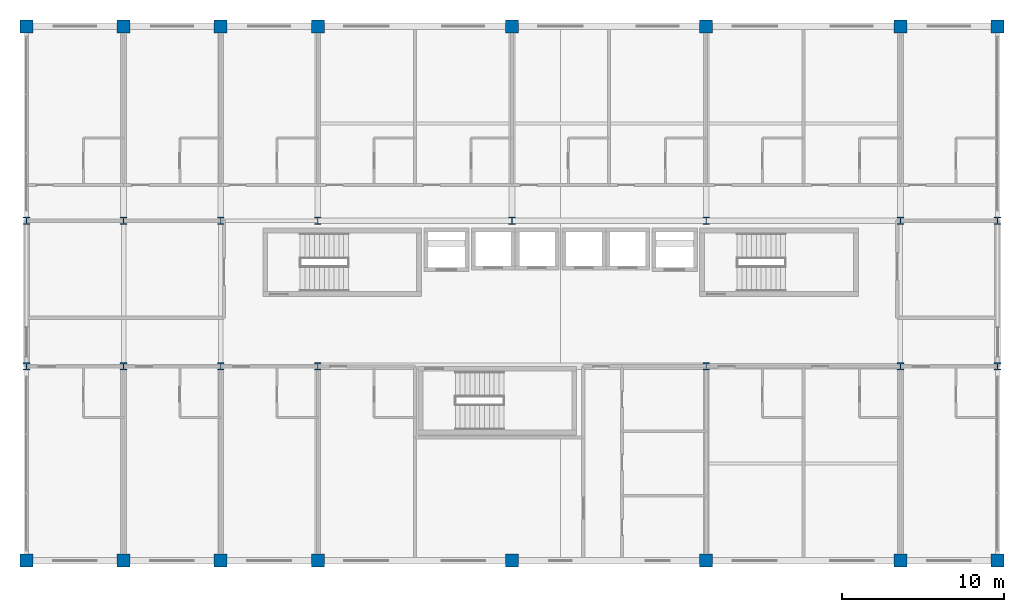
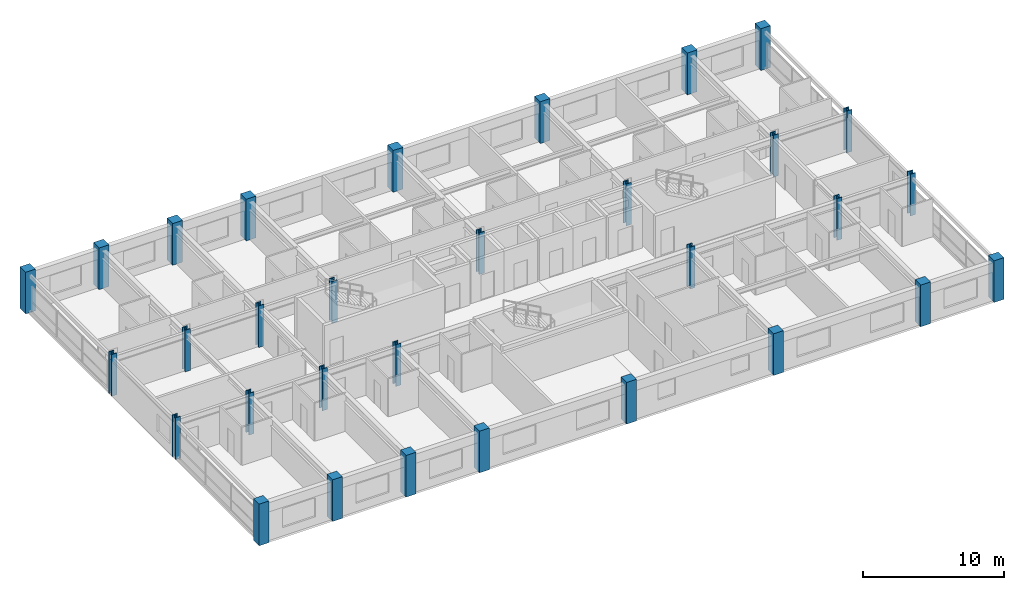
# One storey, part 1 of 26: 31 columns.
"""IFC4 building model written with IfcOpenShell, lengths in metres."""

from ifc_helpers import new_model, si_unit, direction, frame, origin, origin_2d, place, context, subcontext, project, spatial, rectangle, i_section, extrude, material, material_profile, profile_set, type_object, element, save


model = new_model("IFC4")

# Units and contexts
model_context = context("Model", 3, precision=1e-05, world=origin(), true_north=direction((0.0, 1.0)))
body_context = subcontext(model_context, "Body", "Model", "MODEL_VIEW")
ifc_project = project(units=[si_unit("LENGTHUNIT", "METRE"), si_unit("AREAUNIT", "SQUARE_METRE"), si_unit("VOLUMEUNIT", "CUBIC_METRE"), si_unit("PLANEANGLEUNIT", "RADIAN"), si_unit("MASSUNIT", "GRAM", prefix="KILO")], contexts=[model_context])

# Site, building, storey
site_placement = place(None, origin())
site = spatial("IfcSite", under=ifc_project, at=site_placement, CompositionType="ELEMENT")
building_placement = place(site_placement, origin())
building = spatial("IfcBuilding", under=site, at=building_placement, Name="Kaldorvane Square Convention Centre", CompositionType="ELEMENT")
storey_placement = place(building_placement, frame((0.0, 0.0, 45.600006103515625)))
storey = spatial("IfcBuildingStorey", under=building, at=storey_placement, Name="L10", CompositionType="ELEMENT", Elevation=45.600006103515625)

# Columns
ifc_material_1 = material(Name="Concrete f'c = 42 MPa (Normalweight)", Category="concrete")
ifc_material_profile_1 = material_profile(ifc_material_1, rectangle(XDim=0.8000030517578125, YDim=0.8000030517578125, at=origin_2d()), Name="RC800X800")
ifc_profile_set_1 = profile_set([ifc_material_profile_1], Name="Concrete f'c = 42 MPa (Normalweight)")
column_type_1 = type_object("IfcColumnType", Name="COL-RC-800", PredefinedType="COLUMN", material=ifc_profile_set_1)
for number, where, z_axis, x_axis, name in (
    (1, (24.0, 84.0, 0.0), (0.0, 0.0, 1.0), (1.0, 0.0, 0.0), "Column CC-04 (L10)"),
    (2, (24.0, 117.0, 0.0), (0.0, 0.0, 1.0), (1.0, 0.0, 0.0), "Column CC-04 (L10)"),
    (3, (30.0, 84.0, 0.0), (0.0, 0.0, 1.0), (1.0, 0.0, 0.0), "Column CC-04 (L10)"),
    (4, (30.0, 117.0, 0.0), (0.0, 0.0, 1.0), (1.0, 0.0, 0.0), "Column CC-04 (L10)"),
    (5, (36.0, 84.0, 0.0), (0.0, 0.0, 1.0), (1.0, 0.0, 0.0), "Column CC-04 (L10)"),
    (6, (36.0, 117.0, 0.0), (0.0, 0.0, 1.0), (1.0, 0.0, 0.0), "Column CC-04 (L10)"),
    (7, (42.0, 84.0, 0.0), (0.0, 0.0, 1.0), (1.0, 0.0, 0.0), "Column CC-04 (L10)"),
    (8, (42.0, 117.0, 0.0), (0.0, 0.0, 1.0), (1.0, 0.0, 0.0), "Column CC-04 (L10)"),
    (9, (54.0, 84.0, 0.0), (0.0, 0.0, 1.0), (1.0, 0.0, 0.0), "Column CC-04 (L10)"),
    (10, (54.0, 117.0, 0.0), (0.0, 0.0, 1.0), (1.0, 0.0, 0.0), "Column CC-04 (L10)"),
    (11, (66.0, 84.0, 0.0), (0.0, 0.0, 1.0), (1.0, 0.0, 0.0), "Column CC-04 (L10)"),
    (12, (66.0, 117.0, 0.0), (0.0, 0.0, 1.0), (1.0, 0.0, 0.0), "Column CC-04 (L10)"),
    (13, (78.0, 84.0, 0.0), (0.0, 0.0, 1.0), (1.0, 0.0, 0.0), "Column CC-04 (L10)"),
    (14, (78.0, 117.0, 0.0), (0.0, 0.0, 1.0), (1.0, 0.0, 0.0), "Column CC-04 (L10)"),
    (15, (84.0, 84.0, 0.0), (0.0, 0.0, 1.0), (1.0, 0.0, 0.0), "Column CC-04 (L10)"),
    (16, (84.0, 117.0, 0.0), (0.0, 0.0, 1.0), (1.0, 0.0, 0.0), "Column CC-04 (L10)"),
):
    element("IfcColumn", number, at=place(storey_placement, frame(where, z_axis=z_axis, x_axis=x_axis)), inside=storey, type_object=column_type_1, Name=name, PredefinedType="COLUMN", context=body_context, shape_type="SweptSolid", body=[
        extrude(rectangle(XDim=0.8000030517578125, YDim=0.8000030517578125, at=origin_2d()), origin(), (0.0, 0.0, 1.0), 3.5999908447265625),
    ])
ifc_material_2 = material(Name="Steel ASTM A992 Gr. 50", Category="steel")
ifc_material_profile_2 = material_profile(ifc_material_2, i_section(OverallWidth=0.4185028076171875, OverallDepth=0.4552001953125, WebThickness=0.0420074462890625, FlangeThickness=0.067596435546875, FilletRadius=0.0305023193359375, at=origin_2d()), Name="W14X370")
ifc_profile_set_2 = profile_set([ifc_material_profile_2], Name="Steel ASTM A992 Gr. 50")
column_type_2 = type_object("IfcColumnType", Name="COL-STL-370", PredefinedType="COLUMN", material=ifc_profile_set_2)
for number, where, z_axis, x_axis, name in (
    (17, (24.0, 96.0, 0.0), (0.0, 0.0, 1.0), (1.0, 0.0, 0.0), "Column SC-05 (L10)"),
    (18, (24.0, 105.0, 0.0), (0.0, 0.0, 1.0), (1.0, 0.0, 0.0), "Column SC-05 (L10)"),
    (19, (30.0, 96.0, 0.0), (0.0, 0.0, 1.0), (1.0, 0.0, 0.0), "Column SC-05 (L10)"),
    (20, (30.0, 105.0, 0.0), (0.0, 0.0, 1.0), (1.0, 0.0, 0.0), "Column SC-05 (L10)"),
    (21, (36.0, 96.0, 0.0), (0.0, 0.0, 1.0), (1.0, 0.0, 0.0), "Column SC-05 (L10)"),
    (22, (36.0, 105.0, 0.0), (0.0, 0.0, 1.0), (1.0, 0.0, 0.0), "Column SC-05 (L10)"),
    (23, (42.0, 96.0, 0.0), (0.0, 0.0, 1.0), (1.0, 0.0, 0.0), "Column SC-05 (L10)"),
    (24, (42.0, 105.0, 0.0), (0.0, 0.0, 1.0), (1.0, 0.0, 0.0), "Column SC-05 (L10)"),
    (25, (54.0, 105.0, 0.0), (0.0, 0.0, 1.0), (1.0, 0.0, 0.0), "Column SC-05 (L10)"),
    (26, (66.0, 96.0, 0.0), (0.0, 0.0, 1.0), (1.0, 0.0, 0.0), "Column SC-05 (L10)"),
    (27, (66.0, 105.0, 0.0), (0.0, 0.0, 1.0), (1.0, 0.0, 0.0), "Column SC-05 (L10)"),
    (28, (78.0, 96.0, 0.0), (0.0, 0.0, 1.0), (1.0, 0.0, 0.0), "Column SC-05 (L10)"),
    (29, (78.0, 105.0, 0.0), (0.0, 0.0, 1.0), (1.0, 0.0, 0.0), "Column SC-05 (L10)"),
    (30, (84.0, 96.0, 0.0), (0.0, 0.0, 1.0), (1.0, 0.0, 0.0), "Column SC-05 (L10)"),
    (31, (84.0, 105.0, 0.0), (0.0, 0.0, 1.0), (1.0, 0.0, 0.0), "Column SC-05 (L10)"),
):
    element("IfcColumn", number, at=place(storey_placement, frame(where, z_axis=z_axis, x_axis=x_axis)), inside=storey, type_object=column_type_2, Name=name, PredefinedType="COLUMN", context=body_context, shape_type="SweptSolid", body=[
        extrude(i_section(OverallWidth=0.4185028076171875, OverallDepth=0.4552001953125, WebThickness=0.0420074462890625, FlangeThickness=0.067596435546875, FilletRadius=0.0305023193359375, at=origin_2d()), origin(), (0.0, 0.0, 1.0), 3.5999908447265625),
    ])

save(model, "model.ifc")
